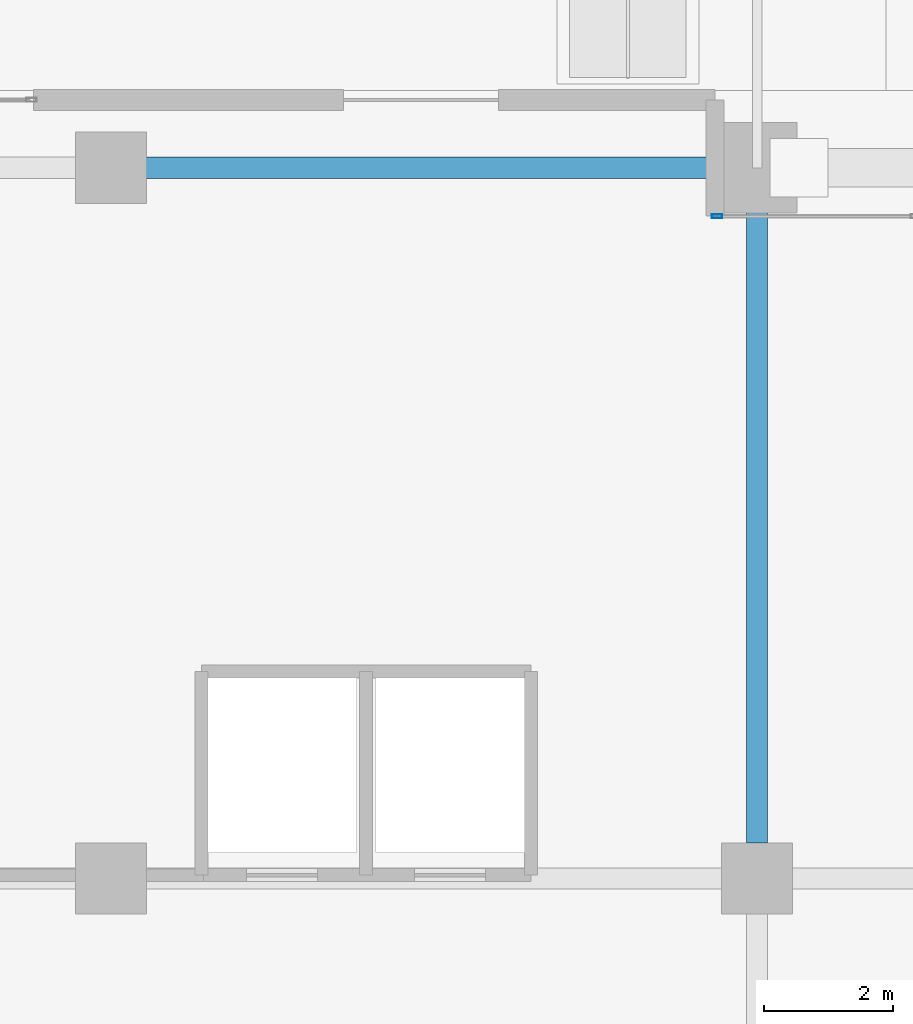
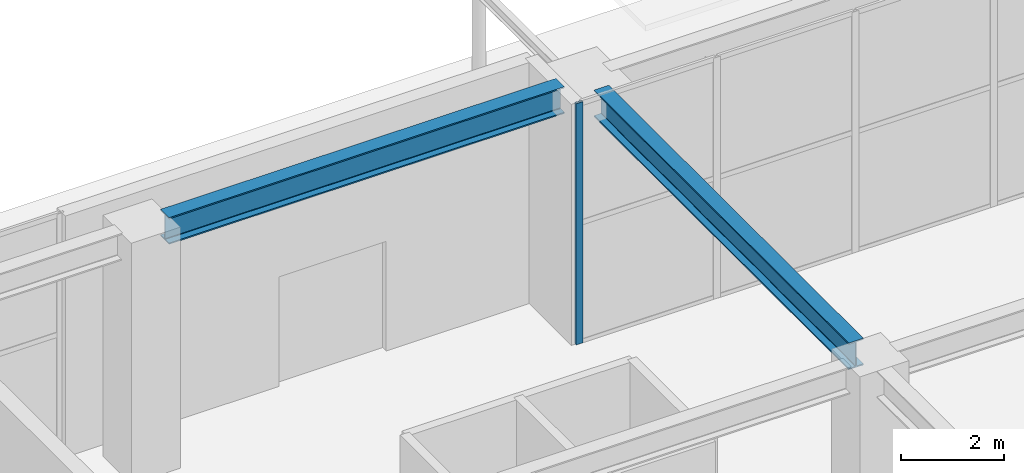
# One storey, part 23 of 49: 2 beams, 1 member, 1 element without a shape of its own.
"""IFC4 building model written with IfcOpenShell, lengths in metres."""

from ifc_helpers import new_model, si_unit, direction, frame, origin, origin_2d, place, context, subcontext, project, spatial, hollow_rectangle, i_section, extrude, material, layer, layer_set, material_profile, profile_set, type_object, element, aggregate, save


model = new_model("IFC4")

# Units and contexts
model_context = context("Model", 3, precision=1e-05, world=origin(), true_north=direction((0.0, 1.0)))
body_context = subcontext(model_context, "Body", "Model", "MODEL_VIEW")
ifc_project = project(units=[si_unit("LENGTHUNIT", "METRE"), si_unit("AREAUNIT", "SQUARE_METRE"), si_unit("VOLUMEUNIT", "CUBIC_METRE"), si_unit("PLANEANGLEUNIT", "RADIAN"), si_unit("MASSUNIT", "GRAM", prefix="KILO")], contexts=[model_context])

# Site, building, storey
site_placement = place(None, origin())
site = spatial("IfcSite", under=ifc_project, at=site_placement, CompositionType="ELEMENT")
building_placement = place(site_placement, origin())
building = spatial("IfcBuilding", under=site, at=building_placement, Name="Sarneth Arch Tower", CompositionType="ELEMENT")
storey_placement = place(building_placement, origin())
storey = spatial("IfcBuildingStorey", under=building, at=storey_placement, Name="L00", CompositionType="ELEMENT", Elevation=0.0)

# Beams
ifc_material_1 = material(Name="Steel S355", Category="steel")
ifc_material_profile_1 = material_profile(ifc_material_1, i_section(OverallWidth=0.3291015625, OverallDepth=0.635009765625, WebThickness=0.017822265625, FlangeThickness=0.031005859375, FilletRadius=0.01904296875, at=origin_2d()), Name="W610x241")
ifc_profile_set_1 = profile_set([ifc_material_profile_1], Name="Steel S355")
beam_type = type_object("IfcBeamType", Name="BM-POD-610", PredefinedType="BEAM", material=ifc_profile_set_1)
beam_1_placement = place(storey_placement, frame((20.52001953125, 74.800048828125, 5.402587890625), z_axis=(1.0, 0.0, 0.0), x_axis=(0.0, 1.0, 0.0)))
element("IfcBeam", 1, at=beam_1_placement, inside=storey, type_object=beam_type, Name="L00 Podium PN girder 2", PredefinedType="BEAM", context=body_context, shape_type="SweptSolid", body=[
    extrude(i_section(OverallWidth=0.3291015625, OverallDepth=0.635009765625, WebThickness=0.017822265625, FlangeThickness=0.031005859375, FilletRadius=0.01904296875, at=origin_2d()), origin(), (0.0, 0.0, 1.0), 8.87548828125),
])
beam_2_placement = place(storey_placement, frame((30.0, 64.35009765625, 5.402587890625), z_axis=(0.0, 1.0, 0.0), x_axis=(-1.0, 0.0, 0.0)))
element("IfcBeam", 2, at=beam_2_placement, inside=storey, type_object=beam_type, Name="L00 Podium N-S girder W30.4", PredefinedType="BEAM", context=body_context, shape_type="SweptSolid", body=[
    extrude(i_section(OverallWidth=0.3291015625, OverallDepth=0.635009765625, WebThickness=0.017822265625, FlangeThickness=0.031005859375, FilletRadius=0.01904296875, at=origin_2d()), origin(), (0.0, 0.0, 1.0), 9.89990234375),
])

# Curtain wall, member
ifc_material_2 = material(Name="Anodised aluminium Type AA25 and solar-control low-e laminated IGU", Category="aluminium")
ifc_layer = layer(ifc_material_2, 0.199951171875)
ifc_layer_set = layer_set([ifc_layer], Name="Anodised aluminium Type AA25 and solar-control low-e laminated IGU")
curtain_wall_type = type_object("IfcCurtainWallType", Name="CW-ARCH-GLAZE", PredefinedType="NOTDEFINED", material=ifc_layer_set)
curtain_wall_placement = place(storey_placement, origin())
curtain_wall = element("IfcCurtainWall", 3, at=curtain_wall_placement, inside=storey, type_object=curtain_wall_type, Name="L00 North parabolic arch portal curtain wall", PredefinedType="NOTDEFINED")
ifc_material_3 = material(Name="Anodised Aluminium 6063-T6", Category="aluminium")
ifc_material_profile_2 = material_profile(ifc_material_3, hollow_rectangle(XDim=0.06005859375, YDim=0.159912109375, WallThickness=0.00390625, at=origin_2d()), Name="AL-MULL-160x60x4")
ifc_profile_set_2 = profile_set([ifc_material_profile_2], Name="Anodised Aluminium 6063-T6")
member_type = type_object("IfcMemberType", Name="CW-MULLION", PredefinedType="MULLION", material=ifc_profile_set_2)
member_placement = place(storey_placement, frame((29.3798828125, 74.050048828125, 0.0), z_axis=(0.0, 0.0, 1.0), x_axis=(0.0, -1.0, 0.0)))
member = element("IfcMember", 4, at=member_placement, type_object=member_type, Name="CW-SYS-2 mullion 13", PredefinedType="MULLION", context=body_context, shape_type="SweptSolid", body=[
    extrude(hollow_rectangle(XDim=0.06005859375, YDim=0.159912109375, WallThickness=0.00390625, at=origin_2d()), origin(), (0.0, 0.0, 1.0), 5.719970703125),
])
aggregate(curtain_wall, [member])

save(model, "model.ifc")
